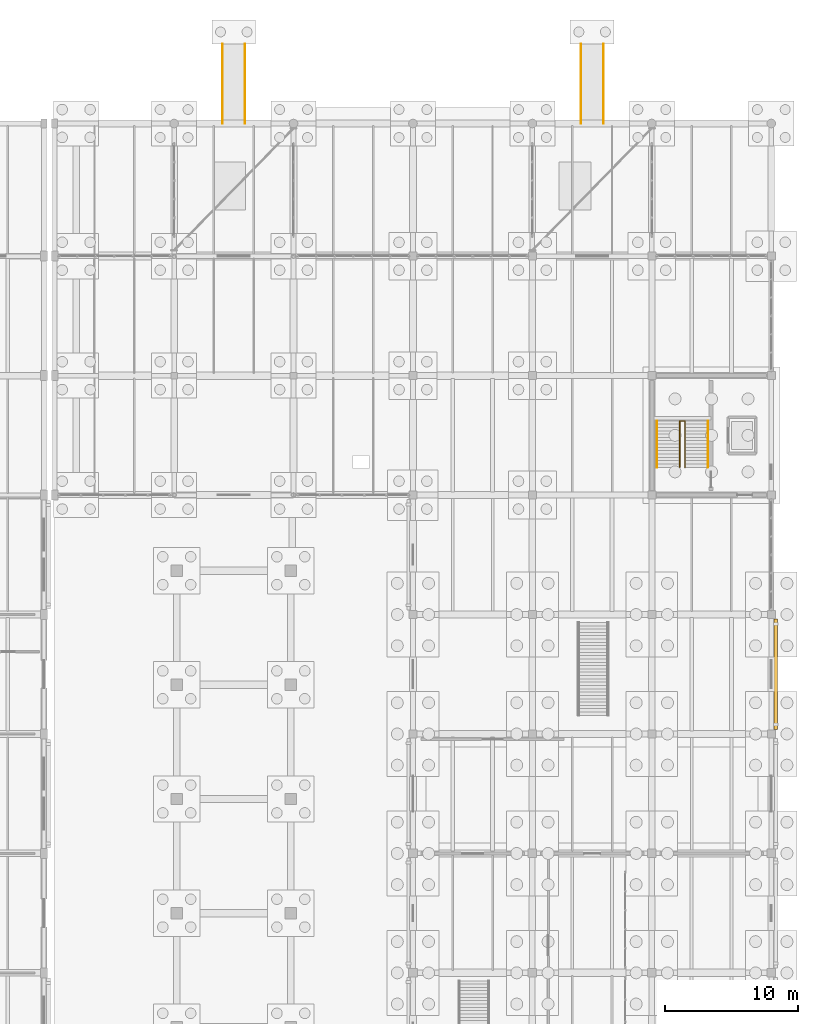
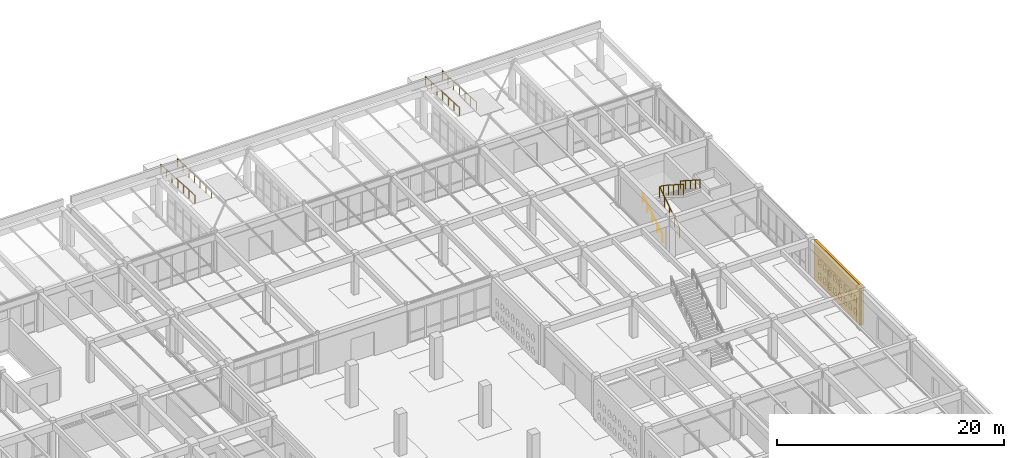
# One storey, part 185 of 186: 7 railings, 1 covering.
"""IFC4 building model written with IfcOpenShell, lengths in metres."""

from ifc_helpers import new_model, si_unit, direction, frame, origin, origin_2d, place, context, subcontext, project, spatial, polyline, circle, outline, extrude, material, layer, layer_set, type_object, element, save


model = new_model("IFC4")

# Units and contexts
model_context = context("Model", 3, precision=1e-05, world=origin(), true_north=direction((0.0, 1.0)))
body_context = subcontext(model_context, "Body", "Model", "MODEL_VIEW")
ifc_project = project(units=[si_unit("LENGTHUNIT", "METRE"), si_unit("AREAUNIT", "SQUARE_METRE"), si_unit("VOLUMEUNIT", "CUBIC_METRE"), si_unit("PLANEANGLEUNIT", "RADIAN"), si_unit("MASSUNIT", "GRAM", prefix="KILO")], contexts=[model_context])

# Site, building, storey
site_placement = place(None, origin())
site = spatial("IfcSite", under=ifc_project, at=site_placement, CompositionType="ELEMENT")
building_placement = place(site_placement, origin())
building = spatial("IfcBuilding", under=site, at=building_placement, Name="Ornek Quay Market", CompositionType="ELEMENT")
storey_placement = place(building_placement, origin())
storey = spatial("IfcBuildingStorey", under=building, at=storey_placement, Name="L00", CompositionType="ELEMENT", Elevation=0.0)

# Covering
ifc_material_1 = material(Name="Frost-resistant facing clay brick M200 F100", Category="masonry")
ifc_layer = layer(ifc_material_1, 0.25, Name="Frost-resistant facing clay brick M200 F100", Category="masonry")
ifc_layer_set = layer_set([ifc_layer], Name="Frost-resistant facing clay brick M200 F100")
covering_type = type_object("IfcCoveringType", Name="COV-BRICK-LATTICE-250", PredefinedType="CLADDING", material=ifc_layer_set)
covering_placement = place(storey_placement, frame((180.330078125, 74.35009765625, 0.0), z_axis=(0.0, 0.0, 1.0), x_axis=(0.0, 1.0, 0.0)))
element("IfcCovering", 1, at=covering_placement, inside=storey, type_object=covering_type, Name="Arched brick lattice screen BLS-073", PredefinedType="CLADDING", context=body_context, shape_type="SweptSolid", body=[
    extrude(outline(polyline([(0.0, 0.0), (8.2998046875, 0.0), (8.2998046875, 4.22998046875), (0.0, 4.22998046875), (0.0, 0.0)]), holes=[polyline([(0.760009765625, 0.550048828125), (1.239990234375, 0.550048828125), (1.239990234375, 1.050048828125), (1.1201171875, 1.2578125), (0.8798828125, 1.2578125), (0.760009765625, 1.050048828125), (0.760009765625, 0.550048828125)]), polyline([(0.760009765625, 1.949951171875), (1.239990234375, 1.949951171875), (1.239990234375, 2.449951171875), (1.1201171875, 2.65771484375), (0.8798828125, 2.65771484375), (0.760009765625, 2.449951171875), (0.760009765625, 1.949951171875)]), polyline([(1.659912109375, 0.550048828125), (2.139892578125, 0.550048828125), (2.139892578125, 1.050048828125), (2.02001953125, 1.2578125), (1.780029296875, 1.2578125), (1.659912109375, 1.050048828125), (1.659912109375, 0.550048828125)]), polyline([(1.659912109375, 1.949951171875), (2.139892578125, 1.949951171875), (2.139892578125, 2.449951171875), (2.02001953125, 2.65771484375), (1.780029296875, 2.65771484375), (1.659912109375, 2.449951171875), (1.659912109375, 1.949951171875)]), polyline([(2.56005859375, 0.550048828125), (3.0400390625, 0.550048828125), (3.0400390625, 1.050048828125), (2.919921875, 1.2578125), (2.679931640625, 1.2578125), (2.56005859375, 1.050048828125), (2.56005859375, 0.550048828125)]), polyline([(2.56005859375, 1.949951171875), (3.0400390625, 1.949951171875), (3.0400390625, 2.449951171875), (2.919921875, 2.65771484375), (2.679931640625, 2.65771484375), (2.56005859375, 2.449951171875), (2.56005859375, 1.949951171875)]), polyline([(3.4599609375, 0.550048828125), (3.93994140625, 0.550048828125), (3.93994140625, 1.050048828125), (3.820068359375, 1.2578125), (3.580078125, 1.2578125), (3.4599609375, 1.050048828125), (3.4599609375, 0.550048828125)]), polyline([(3.4599609375, 1.949951171875), (3.93994140625, 1.949951171875), (3.93994140625, 2.449951171875), (3.820068359375, 2.65771484375), (3.580078125, 2.65771484375), (3.4599609375, 2.449951171875), (3.4599609375, 1.949951171875)]), polyline([(4.360107421875, 0.550048828125), (4.840087890625, 0.550048828125), (4.840087890625, 1.050048828125), (4.719970703125, 1.2578125), (4.47998046875, 1.2578125), (4.360107421875, 1.050048828125), (4.360107421875, 0.550048828125)]), polyline([(4.360107421875, 1.949951171875), (4.840087890625, 1.949951171875), (4.840087890625, 2.449951171875), (4.719970703125, 2.65771484375), (4.47998046875, 2.65771484375), (4.360107421875, 2.449951171875), (4.360107421875, 1.949951171875)]), polyline([(5.260009765625, 0.550048828125), (5.739990234375, 0.550048828125), (5.739990234375, 1.050048828125), (5.6201171875, 1.2578125), (5.3798828125, 1.2578125), (5.260009765625, 1.050048828125), (5.260009765625, 0.550048828125)]), polyline([(5.260009765625, 1.949951171875), (5.739990234375, 1.949951171875), (5.739990234375, 2.449951171875), (5.6201171875, 2.65771484375), (5.3798828125, 2.65771484375), (5.260009765625, 2.449951171875), (5.260009765625, 1.949951171875)]), polyline([(6.159912109375, 0.550048828125), (6.639892578125, 0.550048828125), (6.639892578125, 1.050048828125), (6.52001953125, 1.2578125), (6.280029296875, 1.2578125), (6.159912109375, 1.050048828125), (6.159912109375, 0.550048828125)]), polyline([(6.159912109375, 1.949951171875), (6.639892578125, 1.949951171875), (6.639892578125, 2.449951171875), (6.52001953125, 2.65771484375), (6.280029296875, 2.65771484375), (6.159912109375, 2.449951171875), (6.159912109375, 1.949951171875)]), polyline([(7.06005859375, 0.550048828125), (7.5400390625, 0.550048828125), (7.5400390625, 1.050048828125), (7.419921875, 1.2578125), (7.179931640625, 1.2578125), (7.06005859375, 1.050048828125), (7.06005859375, 0.550048828125)]), polyline([(7.06005859375, 1.949951171875), (7.5400390625, 1.949951171875), (7.5400390625, 2.449951171875), (7.419921875, 2.65771484375), (7.179931640625, 2.65771484375), (7.06005859375, 2.449951171875), (7.06005859375, 1.949951171875)])]), frame((0.0, 0.125, 0.0), z_axis=(0.0, -1.0, 0.0), x_axis=(1.0, 0.0, 0.0)), (0.0, 0.0, 1.0), 0.25),
])

# Railings
ifc_material_2 = material(Name="Brushed stainless steel 316", Category="steel")
railing_type_1 = type_object("IfcRailingType", Name="RL-GUARD-STAIR-1100", PredefinedType="GUARDRAIL", material=ifc_material_2)
railing_1_placement = place(storey_placement, frame((173.10009765625, 94.095947265625, 0.0)))
element("IfcRailing", 2, at=railing_1_placement, inside=storey, type_object=railing_type_1, Name="Railing GR-03-037", PredefinedType="GUARDRAIL", context=body_context, shape_type="SweptSolid", body=[
    extrude(circle(Radius=0.02392578125, at=origin_2d()), frame((0.0, 0.0, 1.09619140625), z_axis=(0.0, 0.840903622667, 0.541184901292), x_axis=(-1.0, 0.0, 0.0)), (0.0, 0.0, 1.0), 4.12744140625),
    extrude(circle(Radius=0.02392578125, at=origin_2d()), frame((0.030029296875, 3.49609375, 3.34619140625), z_axis=(1.0, 0.0, 0.0), x_axis=(0.0, 1.0, 0.0)), (0.0, 0.0, 1.0), 0.33984375),
    extrude(circle(Radius=0.02392578125, at=origin_2d()), frame((0.39990234375, 3.470947265625, 3.3623046875), z_axis=(0.0, -0.840610876962, 0.541639505145), x_axis=(1.0, 0.0, 0.0)), (0.0, 0.0, 1.0), 4.1240234375),
    extrude(circle(Radius=0.02099609375, at=origin_2d()), origin(), (0.0, 0.0, 1.0), 1.068115234375),
    extrude(circle(Radius=0.02099609375, at=origin_2d()), frame((0.0, 0.8740234375, 0.5625)), (0.0, 0.0, 1.0), 1.068115234375),
    extrude(circle(Radius=0.02099609375, at=origin_2d()), frame((0.0, 1.748046875, 1.125)), (0.0, 0.0, 1.0), 1.068115234375),
    extrude(circle(Radius=0.02099609375, at=origin_2d()), frame((0.0, 2.6220703125, 1.6875)), (0.0, 0.0, 1.0), 1.068115234375),
    extrude(circle(Radius=0.02099609375, at=origin_2d()), frame((0.0, 3.49609375, 2.25)), (0.0, 0.0, 1.0), 1.068115234375),
    extrude(circle(Radius=0.02099609375, at=origin_2d()), frame((0.39990234375, 3.49609375, 2.25)), (0.0, 0.0, 1.0), 1.068115234375),
    extrude(circle(Radius=0.02099609375, at=origin_2d()), frame((0.39990234375, 2.623046875, 2.8125)), (0.0, 0.0, 1.0), 1.068115234375),
    extrude(circle(Radius=0.02099609375, at=origin_2d()), frame((0.39990234375, 1.75, 3.375)), (0.0, 0.0, 1.0), 1.068115234375),
    extrude(circle(Radius=0.02099609375, at=origin_2d()), frame((0.39990234375, 0.877197265625, 3.9375)), (0.0, 0.0, 1.0), 1.068115234375),
    extrude(circle(Radius=0.02099609375, at=origin_2d()), frame((0.39990234375, 0.004150390625, 4.5)), (0.0, 0.0, 1.0), 1.068115234375),
])
railing_type_2 = type_object("IfcRailingType", Name="RL-HANDRAIL-920", PredefinedType="HANDRAIL", material=ifc_material_2)
for number, where, name in (
    (3, (138.64990234375, 126.0, -0.300048828125), "Ramp handrail HR-R4W"),
    (4, (140.35009765625, 126.0, -0.300048828125), "Ramp handrail HR-R4E"),
    (5, (165.64990234375, 126.0, -0.300048828125), "Ramp handrail HR-R5W"),
    (6, (167.35009765625, 126.0, -0.300048828125), "Ramp handrail HR-R5E"),
):
    element("IfcRailing", number, at=place(storey_placement, frame(where)), inside=storey, type_object=railing_type_2, Name=name, PredefinedType="HANDRAIL", context=body_context, shape_type="SweptSolid", body=[
        extrude(circle(Radius=0.02392578125, at=origin_2d()), frame((0.0, 0.0, 0.89599609375), z_axis=(0.0, -0.998751933465, 0.049945724537), x_axis=(1.0, 0.0, 0.0)), (0.0, 0.0, 1.0), 6.007568359375),
        extrude(circle(Radius=0.02099609375, at=origin_2d()), origin(), (0.0, 0.0, 1.0), 0.867919921875),
        extrude(circle(Radius=0.02099609375, at=origin_2d()), frame((0.0, -1.0, 0.050048828125)), (0.0, 0.0, 1.0), 0.867919921875),
        extrude(circle(Radius=0.02099609375, at=origin_2d()), frame((0.0, -2.0, 0.10009765625)), (0.0, 0.0, 1.0), 0.867919921875),
        extrude(circle(Radius=0.02099609375, at=origin_2d()), frame((0.0, -3.0, 0.14990234375)), (0.0, 0.0, 1.0), 0.867919921875),
        extrude(circle(Radius=0.02099609375, at=origin_2d()), frame((0.0, -4.0, 0.199951171875)), (0.0, 0.0, 1.0), 0.867919921875),
        extrude(circle(Radius=0.02099609375, at=origin_2d()), frame((0.0, -5.0, 0.25)), (0.0, 0.0, 1.0), 0.867919921875),
        extrude(circle(Radius=0.02099609375, at=origin_2d()), frame((0.0, -6.0, 0.300048828125)), (0.0, 0.0, 1.0), 0.867919921875),
    ])
railing_2_placement = place(storey_placement, frame((171.3798828125, 94.095947265625, 0.080078125)))
element("IfcRailing", 7, at=railing_2_placement, inside=storey, type_object=railing_type_2, Name="Railing HR-01-038", PredefinedType="HANDRAIL", context=body_context, shape_type="SweptSolid", body=[
    extrude(circle(Radius=0.02392578125, at=origin_2d()), frame((0.0, 0.0, 0.89599609375), z_axis=(0.0, 0.840903622667, 0.541184901292), x_axis=(-1.0, 0.0, 0.0)), (0.0, 0.0, 1.0), 4.157470703125),
    extrude(circle(Radius=0.02099609375, at=origin_2d()), origin(), (0.0, 0.0, 1.0), 0.867919921875),
    extrude(circle(Radius=0.02099609375, at=origin_2d()), frame((0.0, 0.8740234375, 0.5625)), (0.0, 0.0, 1.0), 0.867919921875),
    extrude(circle(Radius=0.02099609375, at=origin_2d()), frame((0.0, 1.748046875, 1.125)), (0.0, 0.0, 1.0), 0.867919921875),
    extrude(circle(Radius=0.02099609375, at=origin_2d()), frame((0.0, 2.6220703125, 1.6875)), (0.0, 0.0, 1.0), 0.867919921875),
    extrude(circle(Radius=0.02099609375, at=origin_2d()), frame((0.0, 3.49609375, 2.25)), (0.0, 0.0, 1.0), 0.867919921875),
])
railing_3_placement = place(storey_placement, frame((175.219970703125, 97.592041015625, 2.330078125)))
element("IfcRailing", 8, at=railing_3_placement, inside=storey, type_object=railing_type_2, Name="Railing HR-01-039", PredefinedType="HANDRAIL", context=body_context, shape_type="SweptSolid", body=[
    extrude(circle(Radius=0.02392578125, at=origin_2d()), frame((0.0, 0.0, 0.89599609375), z_axis=(0.0, -0.840610876962, 0.541639505145), x_axis=(1.0, 0.0, 0.0)), (0.0, 0.0, 1.0), 4.154052734375),
    extrude(circle(Radius=0.02099609375, at=origin_2d()), origin(), (0.0, 0.0, 1.0), 0.867919921875),
    extrude(circle(Radius=0.02099609375, at=origin_2d()), frame((0.0, -0.873046875, 0.5625)), (0.0, 0.0, 1.0), 0.867919921875),
    extrude(circle(Radius=0.02099609375, at=origin_2d()), frame((0.0, -1.74609375, 1.125)), (0.0, 0.0, 1.0), 0.867919921875),
    extrude(circle(Radius=0.02099609375, at=origin_2d()), frame((0.0, -2.618896484375, 1.6875)), (0.0, 0.0, 1.0), 0.867919921875),
    extrude(circle(Radius=0.02099609375, at=origin_2d()), frame((0.0, -3.491943359375, 2.25)), (0.0, 0.0, 1.0), 0.867919921875),
])

save(model, "model.ifc")
